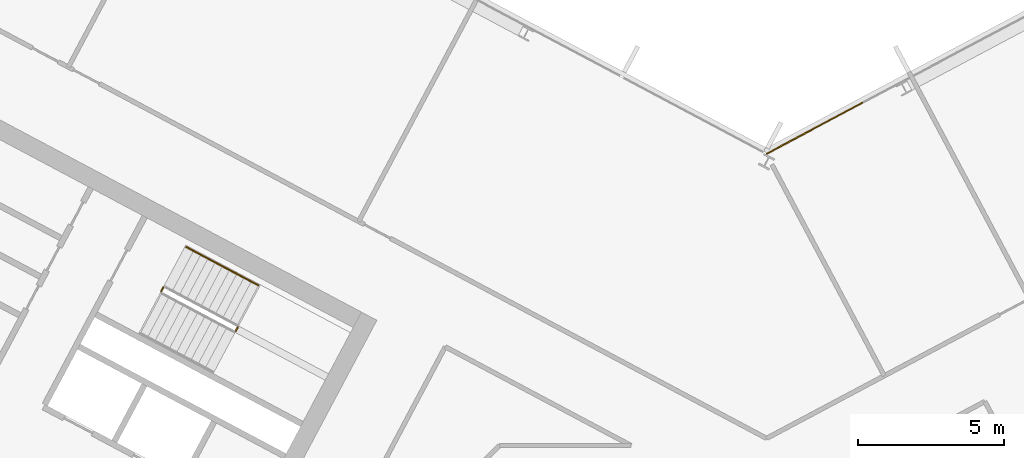
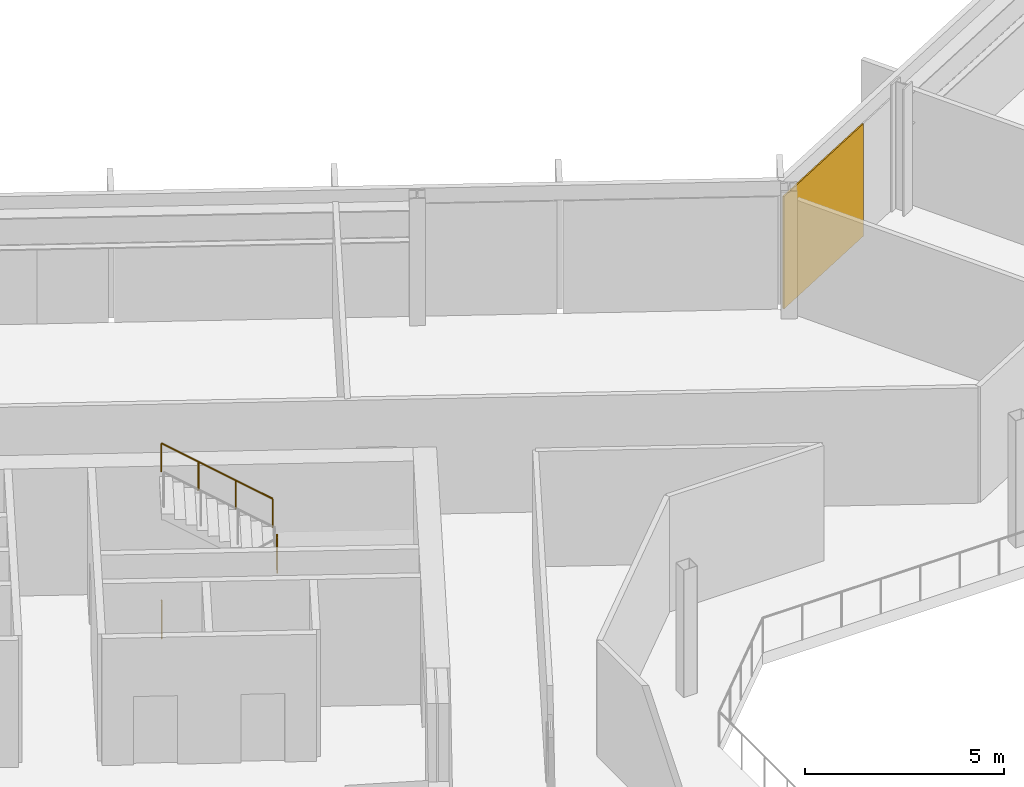
# One storey, part 22 of 26: 3 railings, 1 covering, 1 element without a shape of its own.
"""IFC4 building model written with IfcOpenShell, lengths in metres."""

from ifc_helpers import new_model, si_unit, direction, frame, origin, origin_2d, place, context, subcontext, project, spatial, polyline, rectangle, outline, extrude, material, layer, layer_set, type_object, element, aggregate, save


model = new_model("IFC4")

# Units and contexts
model_context = context("Model", 3, precision=1e-05, world=origin(), true_north=direction((0.0, 1.0)))
body_context = subcontext(model_context, "Body", "Model", "MODEL_VIEW")
ifc_project = project(units=[si_unit("LENGTHUNIT", "METRE"), si_unit("AREAUNIT", "SQUARE_METRE"), si_unit("VOLUMEUNIT", "CUBIC_METRE"), si_unit("PLANEANGLEUNIT", "RADIAN"), si_unit("MASSUNIT", "GRAM", prefix="KILO")], contexts=[model_context])

# Site, building, storey
site_placement = place(None, origin())
site = spatial("IfcSite", under=ifc_project, at=site_placement, CompositionType="ELEMENT")
building_placement = place(site_placement, origin())
building = spatial("IfcBuilding", under=site, at=building_placement, Name="Cormorant Relay Tower", CompositionType="ELEMENT")
storey_placement = place(building_placement, frame((0.0, 0.0, 205.199951171875)))
storey = spatial("IfcBuildingStorey", under=building, at=storey_placement, Name="L44", CompositionType="ELEMENT", Elevation=205.199951171875)

# Curtain wall, covering
ifc_material_1 = material(Name="Aluminium 6063-T6 anodised bronze", Category="aluminium")
ifc_layer_1 = layer(ifc_material_1, 0.199951171875)
ifc_layer_set_1 = layer_set([ifc_layer_1], Name="CW1 unitised bronze curtain wall with vertical fins")
curtain_wall_type = type_object("IfcCurtainWallType", Name="CW1 unitised bronze curtain wall with vertical fins", PredefinedType="NOTDEFINED", material=ifc_layer_set_1)
curtain_wall_placement = place(storey_placement, origin())
curtain_wall = element("IfcCurtainWall", 1, at=curtain_wall_placement, inside=storey, type_object=curtain_wall_type, Name="CW1 curtain wall 8", PredefinedType="NOTDEFINED")
ifc_material_2 = material(Name="Pale bronze anodised aluminium insulated panel", Category="aluminium")
ifc_layer_2 = layer(ifc_material_2, 0.0400390625)
ifc_layer_set_2 = layer_set([ifc_layer_2], Name="CW1 pale bronze insulated panel 40")
covering_type = type_object("IfcCoveringType", Name="CW1 pale bronze insulated panel 40", PredefinedType="CLADDING", material=ifc_layer_set_2)
covering_placement = place(storey_placement, frame((1.65234375, 24.685302734375, 0.0), z_axis=(0.0, 0.0, 1.0), x_axis=(-0.882947592859, -0.469471562786, 0.0)))
covering = element("IfcCovering", 2, at=covering_placement, type_object=covering_type, Name="CW1 panel S08", PredefinedType="CLADDING", context=body_context, shape_type="SweptSolid", body=[
    extrude(rectangle(XDim=3.763916015625, YDim=0.0400390625, at=origin_2d()), origin(), (0.0, 0.0, 1.0), 3.449951171875),
])
aggregate(curtain_wall, [covering])

# Railings
ifc_material_3 = material(Name="Steel ASTM A572 Grade 50 (Fy 345 MPa)", Category="steel")
railing_type_1 = type_object("IfcRailingType", Name="Stair guard 1100", PredefinedType="GUARDRAIL", material=ifc_material_3)
railing_1_placement = place(storey_placement, frame((-18.210693359375, 17.72412109375, 1.949951171875)))
element("IfcRailing", 3, at=railing_1_placement, inside=storey, type_object=railing_type_1, Name="L44 A1 stair guard 2", PredefinedType="GUARDRAIL", context=body_context, shape_type="SweptSolid", body=[
    extrude(outline(polyline([(0.022216796875, 0.00927734375), (0.00927734375, 0.022216796875), (-0.00927734375, 0.022216796875), (-0.022216796875, 0.00927734375), (-0.022216796875, -0.00927734375), (-0.00927734375, -0.022216796875), (0.00927734375, -0.022216796875), (0.022216796875, -0.00927734375), (0.022216796875, 0.00927734375)])), frame((0.0, 0.0, 1.076171875), z_axis=(0.470503732759, 0.882398003998, 0.0), x_axis=(-0.882398003998, 0.470503732759, 0.0)), (0.0, 0.0, 1.0), 0.14990234375),
    extrude(outline(polyline([(0.019287109375, 0.008056640625), (0.008056640625, 0.019287109375), (-0.008056640625, 0.019287109375), (-0.019287109375, 0.008056640625), (-0.019287109375, -0.008056640625), (-0.008056640625, -0.019287109375), (0.008056640625, -0.019287109375), (0.019287109375, -0.008056640625), (0.019287109375, 0.008056640625)])), origin(), (0.0, 0.0, 1.0), 1.052001953125),
    extrude(outline(polyline([(0.019287109375, 0.008056640625), (0.008056640625, 0.019287109375), (-0.008056640625, 0.019287109375), (-0.019287109375, 0.008056640625), (-0.019287109375, -0.008056640625), (-0.008056640625, -0.019287109375), (0.008056640625, -0.019287109375), (0.019287109375, -0.008056640625), (0.019287109375, 0.008056640625)])), frame((0.070556640625, 0.13232421875, 0.0)), (0.0, 0.0, 1.0), 1.052001953125),
])
railing_2_placement = place(storey_placement, frame((-20.771240234375, 19.08544921875, 0.0)))
element("IfcRailing", 4, at=railing_2_placement, inside=storey, type_object=railing_type_1, Name="L44 A1 stair guard 4", PredefinedType="GUARDRAIL", context=body_context, shape_type="SweptSolid", body=[
    extrude(outline(polyline([(0.022216796875, 0.00927734375), (0.00927734375, 0.022216796875), (-0.00927734375, 0.022216796875), (-0.022216796875, 0.00927734375), (-0.022216796875, -0.00927734375), (-0.00927734375, -0.022216796875), (0.00927734375, -0.022216796875), (0.022216796875, -0.00927734375), (0.022216796875, 0.00927734375)])), frame((0.0, 0.0, 1.076171875), z_axis=(0.469828648786, 0.882757634224, 0.0), x_axis=(-0.882757634224, 0.469828648786, 0.0)), (0.0, 0.0, 1.0), 0.150146484375),
    extrude(outline(polyline([(0.019287109375, 0.008056640625), (0.008056640625, 0.019287109375), (-0.008056640625, 0.019287109375), (-0.019287109375, 0.008056640625), (-0.019287109375, -0.008056640625), (-0.008056640625, -0.019287109375), (0.008056640625, -0.019287109375), (0.019287109375, -0.008056640625), (0.019287109375, 0.008056640625)])), origin(), (0.0, 0.0, 1.0), 1.052001953125),
    extrude(outline(polyline([(0.019287109375, 0.008056640625), (0.008056640625, 0.019287109375), (-0.008056640625, 0.019287109375), (-0.019287109375, 0.008056640625), (-0.019287109375, -0.008056640625), (-0.008056640625, -0.019287109375), (0.008056640625, -0.019287109375), (0.019287109375, -0.008056640625), (0.019287109375, 0.008056640625)])), frame((0.070556640625, 0.132568359375, 0.0)), (0.0, 0.0, 1.0), 1.052001953125),
])
ifc_material_4 = material(Name="Steel ASTM A572 Grade 50 (Fy 345 MPa)", Category="steel")
railing_type_2 = type_object("IfcRailingType", Name="Stair handrail 900", PredefinedType="HANDRAIL", material=ifc_material_4)
railing_3_placement = place(storey_placement, frame((-17.433349609375, 19.292724609375, 2.12744140625)))
element("IfcRailing", 5, at=railing_3_placement, inside=storey, type_object=railing_type_2, Name="L44 A1 stair handrail 2", PredefinedType="HANDRAIL", context=body_context, shape_type="SweptSolid", body=[
    extrude(outline(polyline([(0.022216796875, 0.00927734375), (0.00927734375, 0.022216796875), (-0.00927734375, 0.022216796875), (-0.022216796875, 0.00927734375), (-0.022216796875, -0.00927734375), (-0.00927734375, -0.022216796875), (0.00927734375, -0.022216796875), (0.022216796875, -0.00927734375), (0.022216796875, 0.00927734375)])), frame((0.0, 0.0, 0.8759765625), z_axis=(-0.746001213114, 0.396649272309, 0.534931345884), x_axis=(-0.469465464807, -0.882950835185, 0.0)), (0.0, 0.0, 1.0), 3.31396484375),
    extrude(outline(polyline([(0.019287109375, 0.008056640625), (0.008056640625, 0.019287109375), (-0.008056640625, 0.019287109375), (-0.019287109375, 0.008056640625), (-0.019287109375, -0.008056640625), (-0.008056640625, -0.019287109375), (0.008056640625, -0.019287109375), (0.019287109375, -0.008056640625), (0.019287109375, 0.008056640625)])), origin(), (0.0, 0.0, 1.0), 0.851806640625),
    extrude(outline(polyline([(0.019287109375, 0.008056640625), (0.008056640625, 0.019287109375), (-0.008056640625, 0.019287109375), (-0.019287109375, 0.008056640625), (-0.019287109375, -0.008056640625), (-0.008056640625, -0.019287109375), (0.008056640625, -0.019287109375), (0.019287109375, -0.008056640625), (0.019287109375, 0.008056640625)])), frame((-0.823974609375, 0.438232421875, 0.5908203125)), (0.0, 0.0, 1.0), 0.851806640625),
    extrude(outline(polyline([(0.019287109375, 0.008056640625), (0.008056640625, 0.019287109375), (-0.008056640625, 0.019287109375), (-0.019287109375, 0.008056640625), (-0.019287109375, -0.008056640625), (-0.008056640625, -0.019287109375), (0.008056640625, -0.019287109375), (0.019287109375, -0.008056640625), (0.019287109375, 0.008056640625)])), frame((-1.648193359375, 0.876220703125, 1.181884765625)), (0.0, 0.0, 1.0), 0.851806640625),
    extrude(outline(polyline([(0.019287109375, 0.008056640625), (0.008056640625, 0.019287109375), (-0.008056640625, 0.019287109375), (-0.019287109375, 0.008056640625), (-0.019287109375, -0.008056640625), (-0.008056640625, -0.019287109375), (0.008056640625, -0.019287109375), (0.019287109375, -0.008056640625), (0.019287109375, 0.008056640625)])), frame((-2.47216796875, 1.314453125, 1.772705078125)), (0.0, 0.0, 1.0), 0.851806640625),
])

save(model, "model.ifc")
